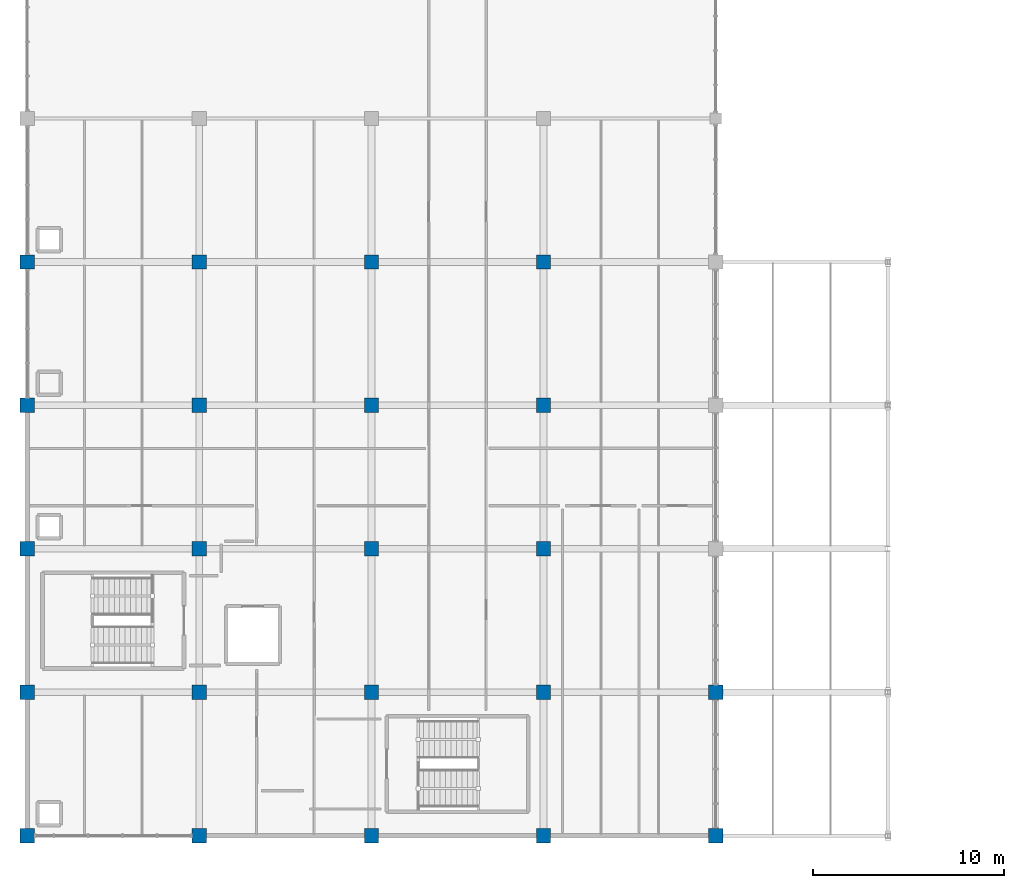
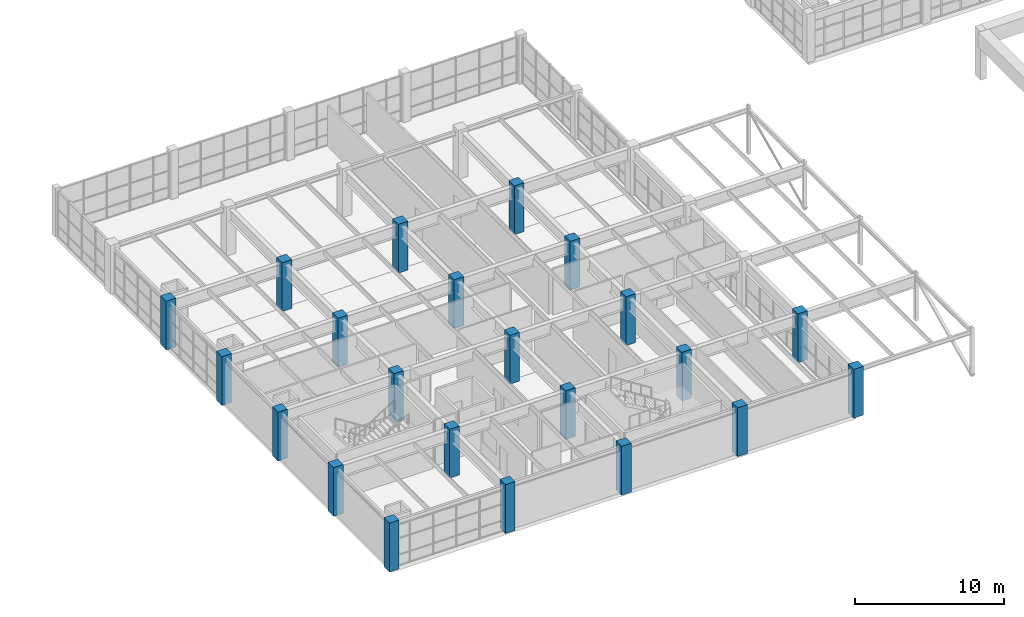
# One storey, part 1 of 76: 22 columns.
"""IFC4 building model written with IfcOpenShell, lengths in metres."""

from ifc_helpers import new_model, si_unit, direction, frame, origin, origin_2d, place, context, subcontext, project, spatial, rectangle, extrude, material, material_profile, profile_set, type_object, element, save


model = new_model("IFC4")

# Units and contexts
model_context = context("Model", 3, precision=1e-05, world=origin(), true_north=direction((0.0, 1.0)))
body_context = subcontext(model_context, "Body", "Model", "MODEL_VIEW")
ifc_project = project(units=[si_unit("LENGTHUNIT", "METRE"), si_unit("AREAUNIT", "SQUARE_METRE"), si_unit("VOLUMEUNIT", "CUBIC_METRE"), si_unit("PLANEANGLEUNIT", "RADIAN"), si_unit("MASSUNIT", "GRAM", prefix="KILO")], contexts=[model_context])

# Site, building, storey
site_placement = place(None, origin())
site = spatial("IfcSite", under=ifc_project, at=site_placement, CompositionType="ELEMENT")
building_placement = place(site_placement, origin())
building = spatial("IfcBuilding", under=site, at=building_placement, Name="Marnridge Secondary College", CompositionType="ELEMENT")
storey_placement = place(building_placement, frame((0.0, 0.0, 4.5)))
storey = spatial("IfcBuildingStorey", under=building, at=storey_placement, Name="L01", CompositionType="ELEMENT", Elevation=4.5)

# Columns
ifc_material_1 = material(Name="Concrete C50/60 (AS 3600 N50, 50 MPa)", Category="concrete")
ifc_material_profile_1 = material_profile(ifc_material_1, rectangle(XDim=0.75, YDim=0.75, at=origin_2d()), Name="RC 750x750")
ifc_profile_set_1 = profile_set([ifc_material_profile_1], Name="Concrete C50/60 (AS 3600 N50, 50 MPa)")
column_type_1 = type_object("IfcColumnType", Name="CL-RC750-EXT", PredefinedType="COLUMN", material=ifc_profile_set_1)
for number, where, z_axis, x_axis, name in (
    (1, (0.0, 0.0, 0.0), (0.0, 0.0, 1.0), (1.0, 0.0, 0.0), "Column C-L01-0002"),
    (2, (9.0, 0.0, 0.0), (0.0, 0.0, 1.0), (1.0, 0.0, 0.0), "Column C-L01-0007"),
    (3, (18.0, 0.0, 0.0), (0.0, 0.0, 1.0), (1.0, 0.0, 0.0), "Column C-L01-0012"),
    (4, (27.0, 0.0, 0.0), (0.0, 0.0, 1.0), (1.0, 0.0, 0.0), "Column C-L01-0017"),
    (5, (36.0, 0.0, 0.0), (0.0, 0.0, 1.0), (1.0, 0.0, 0.0), "Column C-L01-0022"),
    (6, (0.0, 7.5, 0.0), (0.0, 0.0, 1.0), (1.0, 0.0, 0.0), "Column C-L01-0054"),
    (7, (36.0, 7.5, 0.0), (0.0, 0.0, 1.0), (1.0, 0.0, 0.0), "Column C-L01-0074"),
    (8, (0.0, 15.0, 0.0), (0.0, 0.0, 1.0), (1.0, 0.0, 0.0), "Column C-L01-0099"),
    (9, (0.0, 22.5, 0.0), (0.0, 0.0, 1.0), (1.0, 0.0, 0.0), "Column C-L01-0144"),
    (10, (0.0, 30.0, 0.0), (0.0, 0.0, 1.0), (1.0, 0.0, 0.0), "Column C-L01-0189"),
):
    element("IfcColumn", number, at=place(storey_placement, frame(where, z_axis=z_axis, x_axis=x_axis)), inside=storey, type_object=column_type_1, Name=name, PredefinedType="COLUMN", context=body_context, shape_type="SweptSolid", body=[
        extrude(rectangle(XDim=0.75, YDim=0.75, at=origin_2d()), origin(), (0.0, 0.0, 1.0), 4.0),
    ])
ifc_material_2 = material(Name="Concrete C50/60 (AS 3600 N50, 50 MPa)", Category="concrete")
ifc_material_profile_2 = material_profile(ifc_material_2, rectangle(XDim=0.75, YDim=0.75, at=origin_2d()), Name="RC 750x750")
ifc_profile_set_2 = profile_set([ifc_material_profile_2], Name="Concrete C50/60 (AS 3600 N50, 50 MPa)")
column_type_2 = type_object("IfcColumnType", Name="CL-RC750-INT", PredefinedType="COLUMN", material=ifc_profile_set_2)
for number, where, z_axis, x_axis, name in (
    (11, (9.0, 7.5, 0.0), (0.0, 0.0, 1.0), (1.0, 0.0, 0.0), "Column C-L01-0059"),
    (12, (18.0, 7.5, 0.0), (0.0, 0.0, 1.0), (1.0, 0.0, 0.0), "Column C-L01-0064"),
    (13, (27.0, 7.5, 0.0), (0.0, 0.0, 1.0), (1.0, 0.0, 0.0), "Column C-L01-0069"),
    (14, (9.0, 15.0, 0.0), (0.0, 0.0, 1.0), (1.0, 0.0, 0.0), "Column C-L01-0104"),
    (15, (18.0, 15.0, 0.0), (0.0, 0.0, 1.0), (1.0, 0.0, 0.0), "Column C-L01-0109"),
    (16, (27.0, 15.0, 0.0), (0.0, 0.0, 1.0), (1.0, 0.0, 0.0), "Column C-L01-0114"),
    (17, (9.0, 22.5, 0.0), (0.0, 0.0, 1.0), (1.0, 0.0, 0.0), "Column C-L01-0149"),
    (18, (18.0, 22.5, 0.0), (0.0, 0.0, 1.0), (1.0, 0.0, 0.0), "Column C-L01-0154"),
    (19, (27.0, 22.5, 0.0), (0.0, 0.0, 1.0), (1.0, 0.0, 0.0), "Column C-L01-0159"),
    (20, (9.0, 30.0, 0.0), (0.0, 0.0, 1.0), (1.0, 0.0, 0.0), "Column C-L01-0194"),
    (21, (18.0, 30.0, 0.0), (0.0, 0.0, 1.0), (1.0, 0.0, 0.0), "Column C-L01-0199"),
    (22, (27.0, 30.0, 0.0), (0.0, 0.0, 1.0), (1.0, 0.0, 0.0), "Column C-L01-0204"),
):
    element("IfcColumn", number, at=place(storey_placement, frame(where, z_axis=z_axis, x_axis=x_axis)), inside=storey, type_object=column_type_2, Name=name, PredefinedType="COLUMN", context=body_context, shape_type="SweptSolid", body=[
        extrude(rectangle(XDim=0.75, YDim=0.75, at=origin_2d()), origin(), (0.0, 0.0, 1.0), 4.0),
    ])

save(model, "model.ifc")
